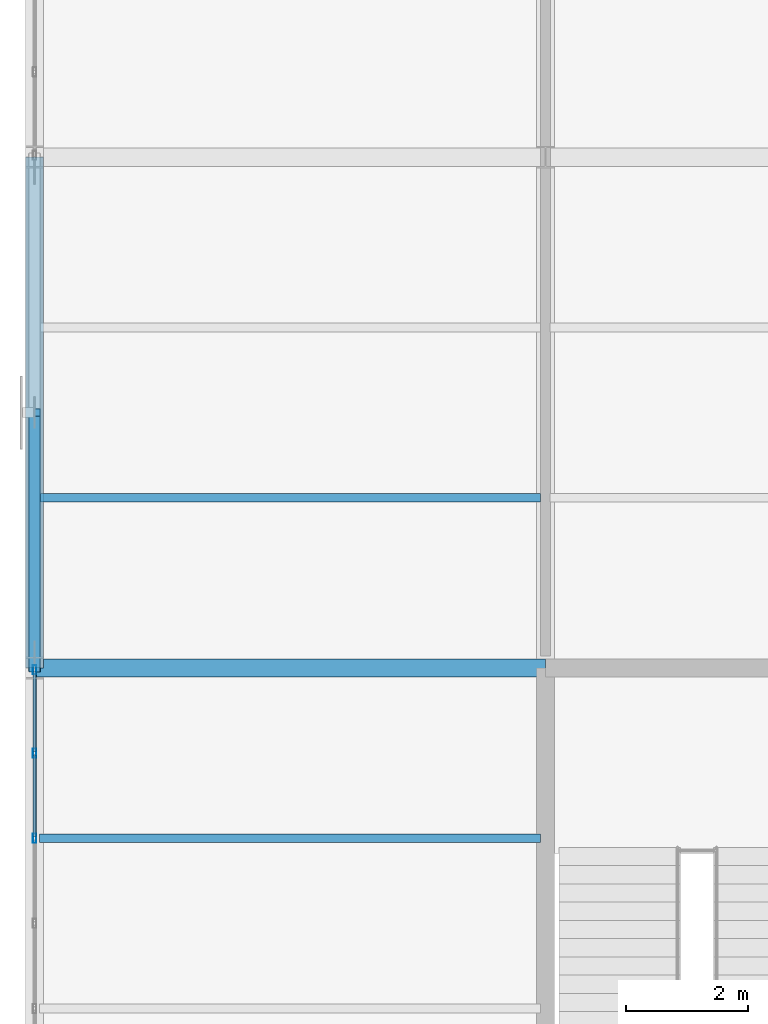
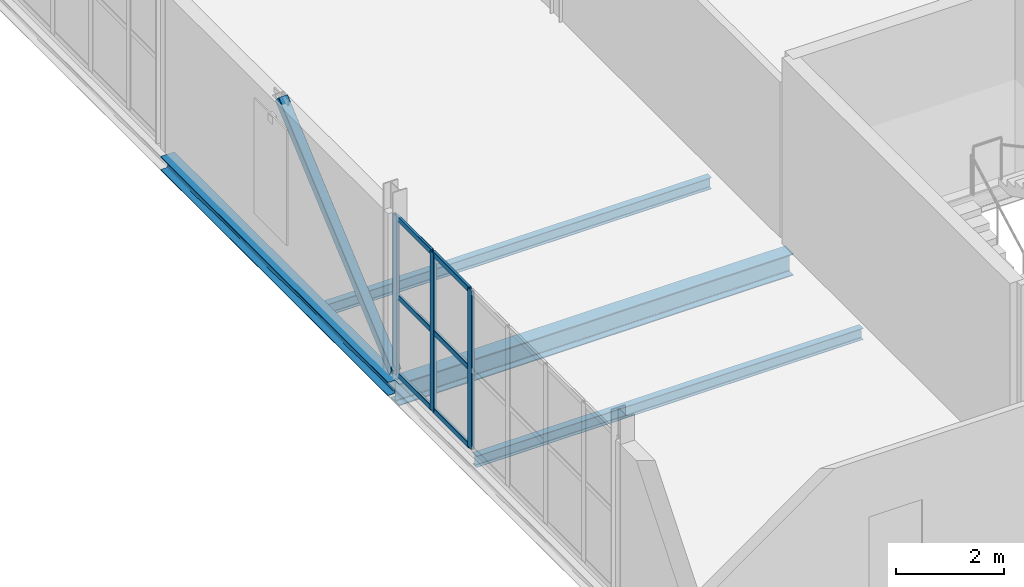
# One storey, part 75 of 163: 10 members, 4 beams, 1 element without a shape of its own.
"""IFC4 building model written with IfcOpenShell, lengths in metres."""

from ifc_helpers import new_model, si_unit, direction, frame, origin, origin_2d, place, context, subcontext, project, spatial, hollow_rectangle, i_section, extrude, material, layer, layer_set, material_profile, profile_set, type_object, element, aggregate, save


model = new_model("IFC4")

# Units and contexts
model_context = context("Model", 3, precision=1e-05, world=origin(), true_north=direction((0.0, 1.0)))
body_context = subcontext(model_context, "Body", "Model", "MODEL_VIEW")
ifc_project = project(units=[si_unit("LENGTHUNIT", "METRE"), si_unit("AREAUNIT", "SQUARE_METRE"), si_unit("VOLUMEUNIT", "CUBIC_METRE"), si_unit("PLANEANGLEUNIT", "RADIAN"), si_unit("MASSUNIT", "GRAM", prefix="KILO")], contexts=[model_context])

# Site, building, storey
site_placement = place(None, origin())
site = spatial("IfcSite", under=ifc_project, at=site_placement, CompositionType="ELEMENT")
building_placement = place(site_placement, origin())
building = spatial("IfcBuilding", under=site, at=building_placement, Name="Qalvenar Corner Mobility Hub", CompositionType="ELEMENT")
storey_placement = place(building_placement, frame((0.0, 0.0, 4.800048828125)))
storey = spatial("IfcBuildingStorey", under=building, at=storey_placement, Name="L01", CompositionType="ELEMENT", Elevation=4.800048828125)

# Beams
ifc_material_1 = material(Name="Steel S355", Category="steel")
ifc_material_profile_1 = material_profile(ifc_material_1, i_section(OverallWidth=0.300048828125, OverallDepth=0.489990234375, WebThickness=0.011962890625, FlangeThickness=0.02294921875, FilletRadius=0.027099609375, at=origin_2d()), Name="HEA500")
ifc_profile_set_1 = profile_set([ifc_material_profile_1], Name="Steel S355")
beam_type_1 = type_object("IfcBeamType", Name="BM-HEA500", PredefinedType="BEAM", material=ifc_profile_set_1)
beam_1_placement = place(storey_placement, frame((0.0, 67.199951171875, -0.425048828125), z_axis=(1.0, 0.0, 0.0), x_axis=(0.0, 1.0, 0.0)))
element("IfcBeam", 1, at=beam_1_placement, inside=storey, type_object=beam_type_1, Name="Primary Steel Girder GX-1164", PredefinedType="BEAM", context=body_context, shape_type="SweptSolid", body=[
    extrude(i_section(OverallWidth=0.300048828125, OverallDepth=0.489990234375, WebThickness=0.011962890625, FlangeThickness=0.02294921875, FilletRadius=0.027099609375, at=origin_2d()), origin(), (0.0, 0.0, 1.0), 8.39990234375),
])
ifc_material_profile_2 = material_profile(ifc_material_1, i_section(OverallWidth=0.14599609375, OverallDepth=0.258056640625, WebThickness=0.006103515625, FlangeThickness=0.009033203125, FilletRadius=0.011962890625, at=origin_2d()), Name="W250x32.7")
ifc_profile_set_2 = profile_set([ifc_material_profile_2], Name="Steel S355")
beam_type_2 = type_object("IfcBeamType", Name="BM-JST250", PredefinedType="JOIST", material=ifc_profile_set_2)
for number, where, z_axis, x_axis, name in (
    (2, (0.077880859375, 64.39990234375, -0.30908203125), (1.0, 0.0, 0.0), (0.0, 1.0, 0.0), "Composite Floor Joist J-1215"),
    (3, (0.077880859375, 70.0, -0.30908203125), (1.0, 0.0, 0.0), (0.0, 1.0, 0.0), "Composite Floor Joist J-1216"),
):
    element("IfcBeam", number, at=place(storey_placement, frame(where, z_axis=z_axis, x_axis=x_axis)), inside=storey, type_object=beam_type_2, Name=name, PredefinedType="JOIST", context=body_context, shape_type="SweptSolid", body=[
        extrude(i_section(OverallWidth=0.14599609375, OverallDepth=0.258056640625, WebThickness=0.006103515625, FlangeThickness=0.009033203125, FilletRadius=0.011962890625, at=origin_2d()), origin(), (0.0, 0.0, 1.0), 8.244140625),
    ])
ifc_material_profile_3 = material_profile(ifc_material_1, i_section(OverallWidth=0.300048828125, OverallDepth=0.31005859375, WebThickness=0.009033203125, FlangeThickness=0.015380859375, FilletRadius=0.027099609375, at=origin_2d()), Name="HEA320")
ifc_profile_set_3 = profile_set([ifc_material_profile_3], Name="Steel S355")
beam_type_3 = type_object("IfcBeamType", Name="BM-SPN320", PredefinedType="SPANDREL", material=ifc_profile_set_3)
beam_2_placement = place(storey_placement, frame((0.0, 67.199951171875, -0.3349609375), z_axis=(0.0, 1.0, 0.0), x_axis=(-1.0, 0.0, 0.0)))
element("IfcBeam", 4, at=beam_2_placement, inside=storey, type_object=beam_type_3, Name="Primary Steel Girder GY-1183", PredefinedType="SPANDREL", context=body_context, shape_type="SweptSolid", body=[
    extrude(i_section(OverallWidth=0.300048828125, OverallDepth=0.31005859375, WebThickness=0.009033203125, FlangeThickness=0.015380859375, FilletRadius=0.027099609375, at=origin_2d()), origin(), (0.0, 0.0, 1.0), 8.400146484375),
])

# Member
ifc_material_profile_4 = material_profile(ifc_material_1, hollow_rectangle(XDim=0.199951171875, YDim=0.199951171875, WallThickness=0.008056640625, InnerFilletRadius=0.008056640625, OuterFilletRadius=0.01611328125, at=origin_2d()), Name="SHS200x200x8")
ifc_profile_set_4 = profile_set([ifc_material_profile_4], Name="Steel S355")
member_type_1 = type_object("IfcMemberType", Name="BR-RHS200", PredefinedType="BRACE", material=ifc_profile_set_4)
member_1_placement = place(storey_placement, frame((0.0, 67.199951171875, 0.02001953125), z_axis=(0.0, 0.757479038629, 0.652859484145), x_axis=(-1.0, 0.0, 0.0)))
element("IfcMember", 5, at=member_1_placement, inside=storey, type_object=member_type_1, Name="Chevron Lateral Brace BR-049", PredefinedType="BRACE", context=body_context, shape_type="SweptSolid", body=[
    extrude(hollow_rectangle(XDim=0.199951171875, YDim=0.199951171875, WallThickness=0.008056640625, InnerFilletRadius=0.008056640625, OuterFilletRadius=0.01611328125, at=origin_2d()), origin(), (0.0, 0.0, 1.0), 5.544677734375),
])

# Curtain wall, members
ifc_material_2 = material(Name="Anodised Aluminium and Low-E Glazing", Category="aluminium")
ifc_layer = layer(ifc_material_2, 0.14990234375)
ifc_layer_set = layer_set([ifc_layer], Name="Anodised Aluminium and Low-E Glazing")
curtain_wall_type = type_object("IfcCurtainWallType", Name="CW-CYC-84X39", PredefinedType="NOTDEFINED", material=ifc_layer_set)
curtain_wall_placement = place(storey_placement, origin())
curtain_wall = element("IfcCurtainWall", 6, at=curtain_wall_placement, inside=storey, type_object=curtain_wall_type, Name="Glazed Curtain Wall CW-V5-L01-W2", PredefinedType="NOTDEFINED")
ifc_material_3 = material(Name="Anodised Aluminium 6063-T6", Category="aluminium")
ifc_material_profile_5 = material_profile(ifc_material_3, hollow_rectangle(XDim=0.06005859375, YDim=0.14990234375, WallThickness=0.00390625, InnerFilletRadius=0.00390625, OuterFilletRadius=0.008056640625, at=origin_2d()), Name="RHS150x60x4")
ifc_profile_set_5 = profile_set([ifc_material_profile_5], Name="Anodised Aluminium 6063-T6")
member_type_2 = type_object("IfcMemberType", Name="CW-MUL150", PredefinedType="MULLION", material=ifc_profile_set_5)
member_2_placement = place(storey_placement, frame((0.0, 67.169921875, 0.0), z_axis=(0.0, 0.0, 1.0), x_axis=(1.0, 0.0, 0.0)))
member_2 = element("IfcMember", 7, at=member_2_placement, type_object=member_type_2, Name="CW-08 mullion 1", PredefinedType="MULLION", context=body_context, shape_type="SweptSolid", body=[
    extrude(hollow_rectangle(XDim=0.06005859375, YDim=0.14990234375, WallThickness=0.00390625, InnerFilletRadius=0.00390625, OuterFilletRadius=0.008056640625, at=origin_2d()), origin(), (0.0, 0.0, 1.0), 3.570068359375),
])
member_3_placement = place(storey_placement, frame((0.0, 65.800048828125, 0.0), z_axis=(0.0, 0.0, 1.0), x_axis=(1.0, 0.0, 0.0)))
member_3 = element("IfcMember", 8, at=member_3_placement, type_object=member_type_2, Name="CW-08 mullion 2", PredefinedType="MULLION", context=body_context, shape_type="SweptSolid", body=[
    extrude(hollow_rectangle(XDim=0.06005859375, YDim=0.14990234375, WallThickness=0.00390625, InnerFilletRadius=0.00390625, OuterFilletRadius=0.008056640625, at=origin_2d()), origin(), (0.0, 0.0, 1.0), 3.570068359375),
])
member_4_placement = place(storey_placement, frame((0.0, 64.39990234375, 0.0), z_axis=(0.0, 0.0, 1.0), x_axis=(1.0, 0.0, 0.0)))
member_4 = element("IfcMember", 9, at=member_4_placement, type_object=member_type_2, Name="CW-08 mullion 3", PredefinedType="MULLION", context=body_context, shape_type="SweptSolid", body=[
    extrude(hollow_rectangle(XDim=0.06005859375, YDim=0.14990234375, WallThickness=0.00390625, InnerFilletRadius=0.00390625, OuterFilletRadius=0.008056640625, at=origin_2d()), origin(), (0.0, 0.0, 1.0), 3.570068359375),
])
ifc_material_profile_6 = material_profile(ifc_material_3, hollow_rectangle(XDim=0.054931640625, YDim=0.1201171875, WallThickness=0.00341796875, InnerFilletRadius=0.00341796875, OuterFilletRadius=0.007080078125, at=origin_2d()), Name="RHS120x55x3.5")
ifc_profile_set_6 = profile_set([ifc_material_profile_6], Name="Anodised Aluminium 6063-T6")
member_type_3 = type_object("IfcMemberType", Name="CW-TRN120", PredefinedType="USERDEFINED", material=ifc_profile_set_6)
member_5_placement = place(storey_placement, frame((0.0, 67.139892578125, 0.02734375), z_axis=(0.0, -1.0, 0.0), x_axis=(1.0, 0.0, 0.0)))
member_5 = element("IfcMember", 10, at=member_5_placement, type_object=member_type_3, Name="CW-08 transom 1.1", ObjectType="TRANSOM", PredefinedType="USERDEFINED", context=body_context, shape_type="SweptSolid", body=[
    extrude(hollow_rectangle(XDim=0.054931640625, YDim=0.1201171875, WallThickness=0.00341796875, InnerFilletRadius=0.00341796875, OuterFilletRadius=0.007080078125, at=origin_2d()), origin(), (0.0, 0.0, 1.0), 1.309814453125),
])
member_6_placement = place(storey_placement, frame((0.0, 67.139892578125, 1.784912109375), z_axis=(0.0, -1.0, 0.0), x_axis=(1.0, 0.0, 0.0)))
member_6 = element("IfcMember", 11, at=member_6_placement, type_object=member_type_3, Name="CW-08 transom 1.2", ObjectType="TRANSOM", PredefinedType="USERDEFINED", context=body_context, shape_type="SweptSolid", body=[
    extrude(hollow_rectangle(XDim=0.054931640625, YDim=0.1201171875, WallThickness=0.00341796875, InnerFilletRadius=0.00341796875, OuterFilletRadius=0.007080078125, at=origin_2d()), origin(), (0.0, 0.0, 1.0), 1.309814453125),
])
member_7_placement = place(storey_placement, frame((0.0, 67.139892578125, 3.54248046875), z_axis=(0.0, -1.0, 0.0), x_axis=(1.0, 0.0, 0.0)))
member_7 = element("IfcMember", 12, at=member_7_placement, type_object=member_type_3, Name="CW-08 transom 1.3", ObjectType="TRANSOM", PredefinedType="USERDEFINED", context=body_context, shape_type="SweptSolid", body=[
    extrude(hollow_rectangle(XDim=0.054931640625, YDim=0.1201171875, WallThickness=0.00341796875, InnerFilletRadius=0.00341796875, OuterFilletRadius=0.007080078125, at=origin_2d()), origin(), (0.0, 0.0, 1.0), 1.309814453125),
])
member_8_placement = place(storey_placement, frame((0.0, 65.77001953125, 0.02734375), z_axis=(0.0, -1.0, 0.0), x_axis=(1.0, 0.0, 0.0)))
member_8 = element("IfcMember", 13, at=member_8_placement, type_object=member_type_3, Name="CW-08 transom 2.1", ObjectType="TRANSOM", PredefinedType="USERDEFINED", context=body_context, shape_type="SweptSolid", body=[
    extrude(hollow_rectangle(XDim=0.054931640625, YDim=0.1201171875, WallThickness=0.00341796875, InnerFilletRadius=0.00341796875, OuterFilletRadius=0.007080078125, at=origin_2d()), origin(), (0.0, 0.0, 1.0), 1.340087890625),
])
member_9_placement = place(storey_placement, frame((0.0, 65.77001953125, 1.784912109375), z_axis=(0.0, -1.0, 0.0), x_axis=(1.0, 0.0, 0.0)))
member_9 = element("IfcMember", 14, at=member_9_placement, type_object=member_type_3, Name="CW-08 transom 2.2", ObjectType="TRANSOM", PredefinedType="USERDEFINED", context=body_context, shape_type="SweptSolid", body=[
    extrude(hollow_rectangle(XDim=0.054931640625, YDim=0.1201171875, WallThickness=0.00341796875, InnerFilletRadius=0.00341796875, OuterFilletRadius=0.007080078125, at=origin_2d()), origin(), (0.0, 0.0, 1.0), 1.340087890625),
])
member_10_placement = place(storey_placement, frame((0.0, 65.77001953125, 3.54248046875), z_axis=(0.0, -1.0, 0.0), x_axis=(1.0, 0.0, 0.0)))
member_10 = element("IfcMember", 15, at=member_10_placement, type_object=member_type_3, Name="CW-08 transom 2.3", ObjectType="TRANSOM", PredefinedType="USERDEFINED", context=body_context, shape_type="SweptSolid", body=[
    extrude(hollow_rectangle(XDim=0.054931640625, YDim=0.1201171875, WallThickness=0.00341796875, InnerFilletRadius=0.00341796875, OuterFilletRadius=0.007080078125, at=origin_2d()), origin(), (0.0, 0.0, 1.0), 1.340087890625),
])
aggregate(curtain_wall, [member_2, member_3, member_4, member_5, member_6, member_7, member_8, member_9, member_10])

save(model, "model.ifc")
